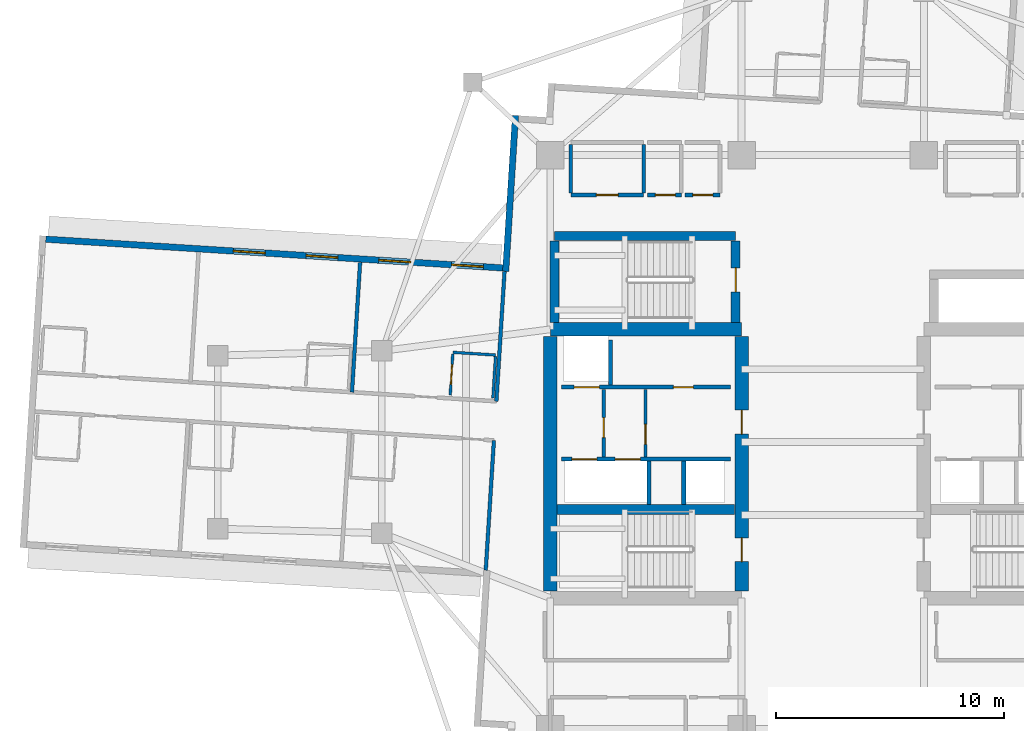
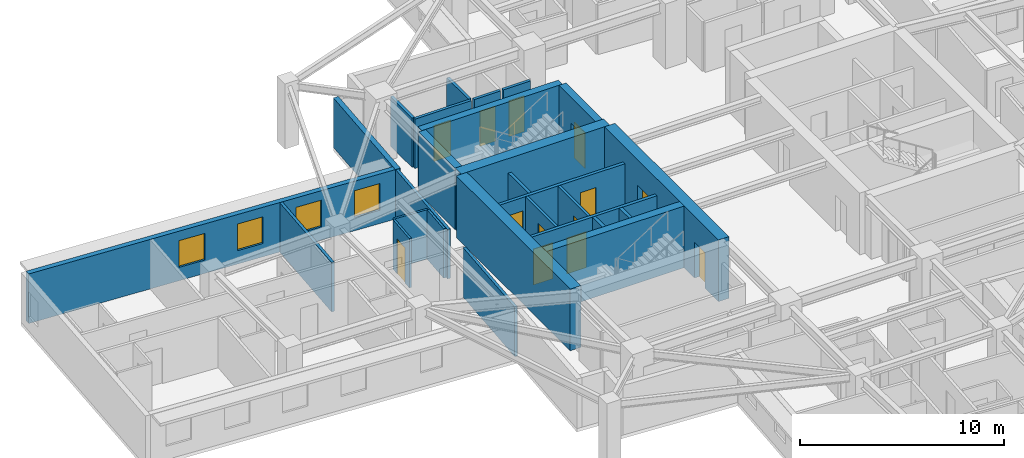
# One storey, part 6 of 14: 27 walls, 13 doors, 4 windows, 17 openings.
"""IFC4 building model written with IfcOpenShell, lengths in metres."""

from ifc_helpers import new_model, si_unit, direction, frame, frame_2d, origin, place, context, subcontext, project, spatial, rectangle, extrude, material, layer, layer_set, type_object, element, fill, save


model = new_model("IFC4")

# Units and contexts
model_context = context("Model", 3, precision=1e-05, world=origin(), true_north=direction((0.0, 1.0)))
body_context = subcontext(model_context, "Body", "Model", "MODEL_VIEW")
ifc_project = project(units=[si_unit("LENGTHUNIT", "METRE"), si_unit("AREAUNIT", "SQUARE_METRE"), si_unit("VOLUMEUNIT", "CUBIC_METRE"), si_unit("PLANEANGLEUNIT", "RADIAN"), si_unit("MASSUNIT", "GRAM", prefix="KILO")], contexts=[model_context])

# Site, building, storey
site_placement = place(None, origin())
site = spatial("IfcSite", under=ifc_project, at=site_placement, CompositionType="ELEMENT")
building_placement = place(site_placement, origin())
building = spatial("IfcBuilding", under=site, at=building_placement, Name="Qingluan Cross Belvedere", CompositionType="ELEMENT")
storey_placement = place(building_placement, frame((0.0, 0.0, 168.300048828125)))
storey = spatial("IfcBuildingStorey", under=building, at=storey_placement, Name="L42", CompositionType="ELEMENT", Elevation=168.300048828125)

# Walls
ifc_material_1 = material(Name="Concrete C50", Category="concrete")
ifc_layer_1 = layer(ifc_material_1, 0.449951171875, Name="CoreShearWall_450")
ifc_layer_set_1 = layer_set([ifc_layer_1], Name="Concrete C50")
wall_type_1 = type_object("IfcWallType", Name="CoreShearWall_450", PredefinedType="SHEAR", material=ifc_layer_set_1)
wall_1_placement = place(storey_placement, frame((-12.094970703125, -2.9599609375, 0.0), z_axis=(0.0, 0.0, 1.0), x_axis=(1.0, 0.0, 0.0)))
element("IfcWall", 1, at=wall_1_placement, inside=storey, type_object=wall_type_1, Name="Split core W shear wall L42-M", PredefinedType="SHEAR", context=body_context, shape_type="SweptSolid", body=[
    extrude(rectangle(XDim=7.7900390625, YDim=0.449951171875, at=frame_2d((3.89501953125, 0.0))), origin(), (0.0, 0.0, 1.0), 3.699951171875),
])
wall_2_placement = place(storey_placement, frame((-12.219970703125, 9.0400390625, 0.0), z_axis=(0.0, 0.0, 1.0), x_axis=(1.0, 0.0, 0.0)))
element("IfcWall", 2, at=wall_2_placement, inside=storey, type_object=wall_type_1, Name="Stair ST3 structural wall N L42", PredefinedType="SHEAR", context=body_context, shape_type="SweptSolid", body=[
    extrude(rectangle(XDim=7.9599609375, YDim=0.39990234375, at=frame_2d((3.97998046875, 0.0))), origin(), (0.0, 0.0, 1.0), 3.699951171875),
])
wall_3_placement = place(storey_placement, frame((-12.219970703125, 5.2548828125, 0.0), z_axis=(0.0, 0.0, 1.0), x_axis=(0.0, 1.0, 0.0)))
element("IfcWall", 3, at=wall_3_placement, inside=storey, type_object=wall_type_1, Name="Stair ST3 structural wall W L42", PredefinedType="SHEAR", context=body_context, shape_type="SweptSolid", body=[
    extrude(rectangle(XDim=3.580078125, YDim=0.39990234375, at=frame_2d((1.7900390625, 0.0))), origin(), (0.0, 0.0, 1.0), 3.699951171875),
])

# Wall, opening, door
wall_4_placement = place(storey_placement, frame((-4.260009765625, 5.2548828125, 0.0), z_axis=(0.0, 0.0, 1.0), x_axis=(0.0, 1.0, 0.0)))
wall_4 = element("IfcWall", 4, at=wall_4_placement, inside=storey, type_object=wall_type_1, Name="Stair ST3 structural wall E L42", PredefinedType="SHEAR", context=body_context, shape_type="SweptSolid", body=[
    extrude(rectangle(XDim=3.580078125, YDim=0.39990234375, at=frame_2d((1.7900390625, 0.0))), origin(), (0.0, 0.0, 1.0), 3.699951171875),
])
opening_1_placement = place(wall_4_placement, frame((1.344970703125, 0.0, 0.0)))
opening_1 = element("IfcOpeningElement", 5, at=opening_1_placement, cuts=wall_4, Name="Opening FD-B11", PredefinedType="OPENING", context=body_context, shape_type="SweptSolid", body=[
    extrude(rectangle(XDim=1.050048828125, YDim=2.14990234375, at=frame_2d((0.52490234375, 1.074951171875))), frame((0.0, 0.2099609375, 0.0), z_axis=(0.0, -1.0, 0.0), x_axis=(1.0, 0.0, 0.0)), (0.0, 0.0, 1.0), 0.419921875),
])
ifc_material_2 = material(Name="Steel Class B smoke-seal fire door", Category="steel")
door_type_1 = type_object("IfcDoorType", Name="StairLobbyFireDoor_FDB", OperationType="NOTDEFINED", PredefinedType="DOOR", material=ifc_material_2)
door_1_placement = place(opening_1_placement, origin())
door_1 = element("IfcDoor", 6, at=door_1_placement, inside=storey, type_object=door_type_1, Name="Smoke-proof stair ST3 fire door L42", OperationType="SINGLE_SWING_RIGHT", OverallHeight=2.14990234375, OverallWidth=1.050048828125, PredefinedType="DOOR", context=body_context, shape_type="SweptSolid", body=[
    extrude(rectangle(XDim=1.050048828125, YDim=2.14990234375, at=frame_2d((0.52490234375, 1.074951171875))), frame((0.0, 0.02490234375, 0.0), z_axis=(0.0, -1.0, 0.0), x_axis=(1.0, 0.0, 0.0)), (0.0, 0.0, 1.0), 0.050048828125),
])
fill(opening_1, door_1)

# Walls
ifc_material_3 = material(Name="Concrete C60", Category="concrete")
ifc_layer_2 = layer(ifc_material_3, 0.60009765625, Name="CoreShearWall_600")
ifc_layer_set_2 = layer_set([ifc_layer_2], Name="Concrete C60")
wall_type_2 = type_object("IfcWallType", Name="CoreShearWall_600", PredefinedType="SHEAR", material=ifc_layer_set_2)
wall_5_placement = place(storey_placement, frame((-12.39990234375, 4.949951171875, 0.0), z_axis=(0.0, 0.0, 1.0), x_axis=(1.0, 0.0, 0.0)))
element("IfcWall", 7, at=wall_5_placement, inside=storey, type_object=wall_type_2, Name="Split core W shear wall L42-N", PredefinedType="SHEAR", context=body_context, shape_type="SweptSolid", body=[
    extrude(rectangle(XDim=8.39990234375, YDim=0.60009765625, at=frame_2d((4.199951171875, 0.0))), origin(), (0.0, 0.0, 1.0), 3.699951171875),
])
wall_6_placement = place(storey_placement, frame((-12.39990234375, -6.544921875, 0.0), z_axis=(0.0, 0.0, 1.0), x_axis=(0.0, 1.0, 0.0)))
element("IfcWall", 8, at=wall_6_placement, inside=storey, type_object=wall_type_2, Name="Split core W shear wall L42-W", PredefinedType="SHEAR", context=body_context, shape_type="SweptSolid", body=[
    extrude(rectangle(XDim=11.18994140625, YDim=0.60009765625, at=frame_2d((5.594970703125, 0.0))), origin(), (0.0, 0.0, 1.0), 3.699951171875),
])

# Wall, openings, doors
wall_7_placement = place(storey_placement, frame((-4.0, -6.544921875, 0.0), z_axis=(0.0, 0.0, 1.0), x_axis=(0.0, 1.0, 0.0)))
wall_7 = element("IfcWall", 9, at=wall_7_placement, inside=storey, type_object=wall_type_2, Name="Split core W shear wall L42-E", PredefinedType="SHEAR", context=body_context, shape_type="SweptSolid", body=[
    extrude(rectangle(XDim=11.18994140625, YDim=0.60009765625, at=frame_2d((5.594970703125, 0.0))), origin(), (0.0, 0.0, 1.0), 3.699951171875),
])
opening_2_placement = place(wall_7_placement, frame((1.294921875, 0.0, 0.0)))
opening_2 = element("IfcOpeningElement", 10, at=opening_2_placement, cuts=wall_7, Name="Opening FD-B11", PredefinedType="OPENING", context=body_context, shape_type="SweptSolid", body=[
    extrude(rectangle(XDim=1.050048828125, YDim=2.14990234375, at=frame_2d((0.52490234375, 1.074951171875))), frame((0.0, 0.31005859375, 0.0), z_axis=(0.0, -1.0, 0.0), x_axis=(1.0, 0.0, 0.0)), (0.0, 0.0, 1.0), 0.6201171875),
])
opening_3_placement = place(wall_7_placement, frame((6.89501953125, 0.0, 0.0)))
opening_3 = element("IfcOpeningElement", 11, at=opening_3_placement, cuts=wall_7, Name="Opening FD-B11", PredefinedType="OPENING", context=body_context, shape_type="SweptSolid", body=[
    extrude(rectangle(XDim=1.050048828125, YDim=2.14990234375, at=frame_2d((0.52490234375, 1.074951171875))), frame((0.0, 0.31005859375, 0.0), z_axis=(0.0, -1.0, 0.0), x_axis=(1.0, 0.0, 0.0)), (0.0, 0.0, 1.0), 0.6201171875),
])
door_2_placement = place(opening_2_placement, origin())
door_2 = element("IfcDoor", 12, at=door_2_placement, inside=storey, type_object=door_type_1, Name="Smoke-proof stair ST1 fire door L42", OperationType="SINGLE_SWING_RIGHT", OverallHeight=2.14990234375, OverallWidth=1.050048828125, PredefinedType="DOOR", context=body_context, shape_type="SweptSolid", body=[
    extrude(rectangle(XDim=1.050048828125, YDim=2.14990234375, at=frame_2d((0.52490234375, 1.074951171875))), frame((0.0, 0.02490234375, 0.0), z_axis=(0.0, -1.0, 0.0), x_axis=(1.0, 0.0, 0.0)), (0.0, 0.0, 1.0), 0.050048828125),
])
fill(opening_2, door_2)
door_3_placement = place(opening_3_placement, origin())
door_3 = element("IfcDoor", 13, at=door_3_placement, inside=storey, type_object=door_type_1, Name="Firefighting lobby West fire door L42", OperationType="SINGLE_SWING_RIGHT", OverallHeight=2.14990234375, OverallWidth=1.050048828125, PredefinedType="DOOR", context=body_context, shape_type="SweptSolid", body=[
    extrude(rectangle(XDim=1.050048828125, YDim=2.14990234375, at=frame_2d((0.52490234375, 1.074951171875))), frame((0.0, 0.02490234375, 0.0), z_axis=(0.0, -1.0, 0.0), x_axis=(1.0, 0.0, 0.0)), (0.0, 0.0, 1.0), 0.050048828125),
])
fill(opening_3, door_3)

# Wall, opening, door
ifc_material_4 = material(Name="Gypsum plasterboard on steel stud acoustic partition", Category="steel")
ifc_layer_3 = layer(ifc_material_4, 0.159912109375, Name="CorridorPartition_160")
ifc_layer_set_3 = layer_set([ifc_layer_3], Name="Gypsum plasterboard on steel stud acoustic partition")
wall_type_3 = type_object("IfcWallType", Name="CorridorPartition_160", PredefinedType="PARTITIONING", material=ifc_layer_set_3)
wall_8_placement = place(storey_placement, frame((-10.050048828125, -0.652099609375, 0.0), z_axis=(0.0, 0.0, 1.0), x_axis=(0.0, 1.0, 0.0)))
wall_8 = element("IfcWall", 14, at=wall_8_placement, inside=storey, type_object=wall_type_3, Name="Partition L42:wv", PredefinedType="PARTITIONING", context=body_context, shape_type="SweptSolid", body=[
    extrude(rectangle(XDim=2.962158203125, YDim=0.139892578125, at=frame_2d((1.48095703125, 0.0))), origin(), (0.0, 0.0, 1.0), 2.9599609375),
])
opening_4_placement = place(wall_8_placement, frame((0.85009765625, 0.0, 0.0)))
opening_4 = element("IfcOpeningElement", 15, at=opening_4_placement, cuts=wall_8, Name="Opening FD-B10", PredefinedType="OPENING", context=body_context, shape_type="SweptSolid", body=[
    extrude(rectangle(XDim=0.8798828125, YDim=2.10009765625, at=frame_2d((0.43994140625, 1.050048828125))), frame((0.0, 0.079833984375, 0.0), z_axis=(0.0, -1.0, 0.0), x_axis=(1.0, 0.0, 0.0)), (0.0, 0.0, 1.0), 0.159912109375),
])
ifc_material_5 = material(Name="Steel Class B service fire door", Category="steel")
door_type_2 = type_object("IfcDoorType", Name="RiserServiceFireDoor_FDB", OperationType="NOTDEFINED", PredefinedType="DOOR", material=ifc_material_5)
door_4_placement = place(opening_4_placement, origin())
door_4 = element("IfcDoor", 16, at=door_4_placement, inside=storey, type_object=door_type_2, Name="Service closet inner door L42", OperationType="SINGLE_SWING_LEFT", OverallHeight=2.10009765625, OverallWidth=0.8798828125, PredefinedType="DOOR", context=body_context, shape_type="SweptSolid", body=[
    extrude(rectangle(XDim=0.8798828125, YDim=2.10009765625, at=frame_2d((0.43994140625, 1.050048828125))), frame((0.0, 0.02490234375, 0.0), z_axis=(0.0, -1.0, 0.0), x_axis=(1.0, 0.0, 0.0)), (0.0, 0.0, 1.0), 0.050048828125),
])
fill(opening_4, door_4)

wall_9_placement = place(storey_placement, frame((-11.5, 10.85009765625, 0.0), z_axis=(0.0, 0.0, 1.0), x_axis=(1.0, 0.0, 0.0)))
wall_9 = element("IfcWall", 17, at=wall_9_placement, inside=storey, type_object=wall_type_3, Name="Partition L42:q_nw_occ:S", PredefinedType="PARTITIONING", context=body_context, shape_type="SweptSolid", body=[
    extrude(rectangle(XDim=3.199951171875, YDim=0.159912109375, at=frame_2d((1.60009765625, 0.0))), origin(), (0.0, 0.0, 1.0), 2.9599609375),
])
opening_5_placement = place(wall_9_placement, frame((1.1201171875, 0.0, 0.0)))
opening_5 = element("IfcOpeningElement", 18, at=opening_5_placement, cuts=wall_9, Name="Opening GD-10", PredefinedType="OPENING", context=body_context, shape_type="SweptSolid", body=[
    extrude(rectangle(XDim=0.9599609375, YDim=2.14990234375, at=frame_2d((0.47998046875, 1.074951171875))), frame((0.0, 0.08984375, 0.0), z_axis=(0.0, -1.0, 0.0), x_axis=(1.0, 0.0, 0.0)), (0.0, 0.0, 1.0), 0.179931640625),
])
ifc_material_6 = material(Name="Timber oak fire-rated acoustic guestroom door", Category="wood")
door_type_3 = type_object("IfcDoorType", Name="GuestEntryDoor_FD60", OperationType="NOTDEFINED", PredefinedType="DOOR", material=ifc_material_6)
door_5_placement = place(opening_5_placement, origin())
door_5 = element("IfcDoor", 19, at=door_5_placement, inside=storey, type_object=door_type_3, Name="Northwest corner reading salon L42 door", OperationType="SINGLE_SWING_RIGHT", OverallHeight=2.14990234375, OverallWidth=0.9599609375, PredefinedType="DOOR", context=body_context, shape_type="SweptSolid", body=[
    extrude(rectangle(XDim=0.9599609375, YDim=2.14990234375, at=frame_2d((0.47998046875, 1.074951171875))), frame((0.0, 0.02490234375, 0.0), z_axis=(0.0, -1.0, 0.0), x_axis=(1.0, 0.0, 0.0)), (0.0, 0.0, 1.0), 0.050048828125),
])
fill(opening_5, door_5)

# Walls
for number, where, z_axis, x_axis, name in (
    (20, (-11.5, 10.93505859375, 0.0), (0.0, 0.0, 1.0), (0.0, 1.0, 0.0), "Partition L42:q_nw_occ:W"),
    (21, (-8.300048828125, 10.93505859375, 0.0), (0.0, 0.0, 1.0), (0.0, 1.0, 0.0), "Partition L42:q_nw_occ:E"),
):
    element("IfcWall", number, at=place(storey_placement, frame(where, z_axis=z_axis, x_axis=x_axis)), inside=storey, type_object=wall_type_3, Name=name, PredefinedType="PARTITIONING", context=body_context, shape_type="SweptSolid", body=[
        extrude(rectangle(XDim=2.1298828125, YDim=0.159912109375, at=frame_2d((1.06494140625, 0.0))), origin(), (0.0, 0.0, 1.0), 2.9599609375),
    ])

# Wall, opening, door
wall_10_placement = place(storey_placement, frame((-8.139892578125, 10.85009765625, 0.0), z_axis=(0.0, 0.0, 1.0), x_axis=(1.0, 0.0, 0.0)))
wall_10 = element("IfcWall", 22, at=wall_10_placement, inside=storey, type_object=wall_type_3, Name="Partition L42:hk_linen:S", PredefinedType="PARTITIONING", context=body_context, shape_type="SweptSolid", body=[
    extrude(rectangle(XDim=1.489990234375, YDim=0.159912109375, at=frame_2d((0.7451171875, 0.0))), origin(), (0.0, 0.0, 1.0), 2.9599609375),
])
opening_6_placement = place(wall_10_placement, frame((0.35009765625, 0.0, 0.0)))
opening_6 = element("IfcOpeningElement", 23, at=opening_6_placement, cuts=wall_10, Name="Opening FD-B10", PredefinedType="OPENING", context=body_context, shape_type="SweptSolid", body=[
    extrude(rectangle(XDim=0.8798828125, YDim=2.10009765625, at=frame_2d((0.43994140625, 1.050048828125))), frame((0.0, 0.08984375, 0.0), z_axis=(0.0, -1.0, 0.0), x_axis=(1.0, 0.0, 0.0)), (0.0, 0.0, 1.0), 0.179931640625),
])
door_6_placement = place(opening_6_placement, origin())
door_6 = element("IfcDoor", 24, at=door_6_placement, inside=storey, type_object=door_type_2, Name="Housekeeping and linen store L42 door", OperationType="SINGLE_SWING_LEFT", OverallHeight=2.10009765625, OverallWidth=0.8798828125, PredefinedType="DOOR", context=body_context, shape_type="SweptSolid", body=[
    extrude(rectangle(XDim=0.8798828125, YDim=2.10009765625, at=frame_2d((0.43994140625, 1.050048828125))), frame((0.0, 0.02490234375, 0.0), z_axis=(0.0, -1.0, 0.0), x_axis=(1.0, 0.0, 0.0)), (0.0, 0.0, 1.0), 0.050048828125),
])
fill(opening_6, door_6)

wall_11_placement = place(storey_placement, frame((-6.489990234375, 10.85009765625, 0.0), z_axis=(0.0, 0.0, 1.0), x_axis=(1.0, 0.0, 0.0)))
wall_11 = element("IfcWall", 25, at=wall_11_placement, inside=storey, type_object=wall_type_3, Name="Partition L42:floor_acc_wc:S", PredefinedType="PARTITIONING", context=body_context, shape_type="SweptSolid", body=[
    extrude(rectangle(XDim=1.5400390625, YDim=0.159912109375, at=frame_2d((0.77001953125, 0.0))), origin(), (0.0, 0.0, 1.0), 2.9599609375),
])
opening_7_placement = place(wall_11_placement, frame((0.35009765625, 0.0, 0.0)))
opening_7 = element("IfcOpeningElement", 26, at=opening_7_placement, cuts=wall_11, Name="Opening BD-08", PredefinedType="OPENING", context=body_context, shape_type="SweptSolid", body=[
    extrude(rectangle(XDim=0.8798828125, YDim=2.14990234375, at=frame_2d((0.43994140625, 1.074951171875))), frame((0.0, 0.08984375, 0.0), z_axis=(0.0, -1.0, 0.0), x_axis=(1.0, 0.0, 0.0)), (0.0, 0.0, 1.0), 0.179931640625),
])
ifc_material_7 = material(Name="Moisture-sealed timber accessible WC door", Category="wood")
door_type_4 = type_object("IfcDoorType", Name="AccessibleWCDoor_880", OperationType="NOTDEFINED", PredefinedType="DOOR", material=ifc_material_7)
door_7_placement = place(opening_7_placement, origin())
door_7 = element("IfcDoor", 27, at=door_7_placement, inside=storey, type_object=door_type_4, Name="Accessible guest washroom L42 door", OperationType="SINGLE_SWING_RIGHT", OverallHeight=2.14990234375, OverallWidth=0.8798828125, PredefinedType="DOOR", context=body_context, shape_type="SweptSolid", body=[
    extrude(rectangle(XDim=0.8798828125, YDim=2.14990234375, at=frame_2d((0.43994140625, 1.074951171875))), frame((0.0, 0.02490234375, 0.0), z_axis=(0.0, -1.0, 0.0), x_axis=(1.0, 0.0, 0.0)), (0.0, 0.0, 1.0), 0.050048828125),
])
fill(opening_7, door_7)

# Walls
for number, where, z_axis, x_axis, name in (
    (28, (-14.7666015625, 1.790771484375, 0.0), (0.0, 0.0, 1.0), (0.062788072387, 0.998026882386, 0.0), "Partition L42:W:s0"),
    (29, (-21.107177734375, 2.189697265625, 0.0), (0.0, 0.0, 1.0), (0.062788072387, 0.998026882386, 0.0), "Partition L42:W:d0_0"),
):
    element("IfcWall", number, at=place(storey_placement, frame(where, z_axis=z_axis, x_axis=x_axis)), inside=storey, type_object=wall_type_3, Name=name, PredefinedType="PARTITIONING", context=body_context, shape_type="SweptSolid", body=[
        extrude(rectangle(XDim=5.7119140625, YDim=0.159912109375, at=frame_2d((2.85595703125, 0.0))), origin(), (0.0, 0.0, 1.0), 2.9599609375),
    ])
wall_12_placement = place(storey_placement, frame((-14.874755859375, 0.07421875, 0.0), z_axis=(0.0, 0.0, 1.0), x_axis=(-0.062785394105, -0.998027050879, 0.0)))
element("IfcWall", 30, at=wall_12_placement, inside=storey, type_object=wall_type_3, Name="Partition L42:W:s1", PredefinedType="PARTITIONING", context=body_context, shape_type="SweptSolid", body=[
    extrude(rectangle(XDim=5.712158203125, YDim=0.159912109375, at=frame_2d((2.85595703125, 0.0))), origin(), (0.0, 0.0, 1.0), 2.9599609375),
])

# Wall, opening, door
ifc_material_8 = material(Name="Moisture-resistant gypsum board lining")
ifc_layer_4 = layer(ifc_material_8, 0.1201171875, Name="EnsuiteWetPartition_120")
ifc_layer_set_4 = layer_set([ifc_layer_4], Name="Moisture-resistant gypsum board lining")
wall_type_4 = type_object("IfcWallType", Name="EnsuiteWetPartition_120", PredefinedType="PARTITIONING", material=ifc_layer_set_4)
wall_13_placement = place(storey_placement, frame((-16.7939453125, 2.05859375, 0.0), z_axis=(0.0, 0.0, 1.0), x_axis=(0.062779145668, 0.998027443946, 0.0)))
wall_13 = element("IfcWall", 31, at=wall_13_placement, inside=storey, type_object=wall_type_4, Name="Partition L42:W:bs0_0", PredefinedType="PARTITIONING", context=body_context, shape_type="SweptSolid", body=[
    extrude(rectangle(XDim=1.820068359375, YDim=0.1201171875, at=frame_2d((0.91015625, 0.0))), origin(), (0.0, 0.0, 1.0), 2.9599609375),
])
opening_8_placement = place(wall_13_placement, frame((0.469970703125, 0.0, 0.0)))
opening_8 = element("IfcOpeningElement", 32, at=opening_8_placement, cuts=wall_13, Name="Opening BD-09", PredefinedType="OPENING", context=body_context, shape_type="SweptSolid", body=[
    extrude(rectangle(XDim=0.8798828125, YDim=2.10009765625, at=frame_2d((0.43994140625, 1.050048828125))), frame((0.0, 0.070068359375, 0.0), z_axis=(0.0, -1.0, 0.0), x_axis=(1.0, 0.0, 0.0)), (0.0, 0.0, 1.0), 0.14013671875),
])
ifc_material_9 = material(Name="Moisture-sealed timber en-suite door", Category="wood")
door_type_5 = type_object("IfcDoorType", Name="BathroomDoor_880", OperationType="NOTDEFINED", PredefinedType="DOOR", material=ifc_material_9)
door_8_placement = place(opening_8_placement, origin())
door_8 = element("IfcDoor", 33, at=door_8_placement, inside=storey, type_object=door_type_5, Name="Bathroom door 4205", OperationType="SINGLE_SWING_LEFT", OverallHeight=2.10009765625, OverallWidth=0.8798828125, PredefinedType="DOOR", context=body_context, shape_type="SweptSolid", body=[
    extrude(rectangle(XDim=0.8798828125, YDim=2.10009765625, at=frame_2d((0.43994140625, 1.050048828125))), frame((0.0, 0.02490234375, 0.0), z_axis=(0.0, -1.0, 0.0), x_axis=(1.0, 0.0, 0.0)), (0.0, 0.0, 1.0), 0.050048828125),
])
fill(opening_8, door_8)

# Walls
wall_14_placement = place(storey_placement, frame((-14.91748046875, 1.9404296875, 0.0), z_axis=(0.0, 0.0, 1.0), x_axis=(0.062779145668, 0.998027443946, 0.0)))
element("IfcWall", 34, at=wall_14_placement, inside=storey, type_object=wall_type_4, Name="Partition L42:W:bw0_0", PredefinedType="PARTITIONING", context=body_context, shape_type="SweptSolid", body=[
    extrude(rectangle(XDim=1.820068359375, YDim=0.1201171875, at=frame_2d((0.91015625, 0.0))), origin(), (0.0, 0.0, 1.0), 2.9599609375),
])
wall_15_placement = place(storey_placement, frame((-14.79931640625, 3.82177734375, 0.0), z_axis=(0.0, 0.0, 1.0), x_axis=(-0.998030789148, 0.062725942896, 0.0)))
element("IfcWall", 35, at=wall_15_placement, inside=storey, type_object=wall_type_4, Name="Partition L42:W:bn0_0", PredefinedType="PARTITIONING", context=body_context, shape_type="SweptSolid", body=[
    extrude(rectangle(XDim=1.8798828125, YDim=0.1201171875, at=frame_2d((0.93994140625, 0.0))), origin(), (0.0, 0.0, 1.0), 2.9599609375),
])

# Wall, openings, windows
ifc_material_10 = material(Name="Precast concrete C45", Category="concrete")
ifc_layer_5 = layer(ifc_material_10, 0.280029296875, Name="PrecastFacadeWall_280")
ifc_layer_set_5 = layer_set([ifc_layer_5], Name="Precast concrete C45")
wall_type_5 = type_object("IfcWallType", Name="PrecastFacadeWall_280", PredefinedType="STANDARD", material=ifc_layer_set_5)
wall_16_placement = place(storey_placement, frame((-14.488525390625, 7.644775390625, 0.0), z_axis=(0.0, 0.0, 1.0), x_axis=(-0.99802635503, 0.06279645424, 0.0)))
wall_16 = element("IfcWall", 36, at=wall_16_placement, inside=storey, type_object=wall_type_5, Name="Facade wall L42-WA", PredefinedType="STANDARD", context=body_context, shape_type="SweptSolid", body=[
    extrude(rectangle(XDim=20.099853515625, YDim=0.280029296875, at=frame_2d((10.0498046875, 0.0))), origin(), (0.0, 0.0, 1.0), 2.969970703125),
])
opening_9_placement = place(wall_16_placement, frame((0.85009765625, 0.0, 0.800048828125)))
opening_9 = element("IfcOpeningElement", 37, at=opening_9_placement, cuts=wall_16, Name="Opening W-01", PredefinedType="OPENING", context=body_context, shape_type="SweptSolid", body=[
    extrude(rectangle(XDim=1.39990234375, YDim=1.60009765625, at=frame_2d((0.699951171875, 0.800048828125))), frame((0.0, 0.14990234375, 0.0), z_axis=(0.0, -1.0, 0.0), x_axis=(1.0, 0.0, 0.0)), (0.0, 0.0, 1.0), 0.300048828125),
])
opening_10_placement = place(wall_16_placement, frame((4.050048828125, 0.0, 0.800048828125)))
opening_10 = element("IfcOpeningElement", 38, at=opening_10_placement, cuts=wall_16, Name="Opening W-01", PredefinedType="OPENING", context=body_context, shape_type="SweptSolid", body=[
    extrude(rectangle(XDim=1.39990234375, YDim=1.60009765625, at=frame_2d((0.699951171875, 0.800048828125))), frame((0.0, 0.14990234375, 0.0), z_axis=(0.0, -1.0, 0.0), x_axis=(1.0, 0.0, 0.0)), (0.0, 0.0, 1.0), 0.300048828125),
])
opening_11_placement = place(wall_16_placement, frame((7.25, 0.0, 0.800048828125)))
opening_11 = element("IfcOpeningElement", 39, at=opening_11_placement, cuts=wall_16, Name="Opening W-01", PredefinedType="OPENING", context=body_context, shape_type="SweptSolid", body=[
    extrude(rectangle(XDim=1.39990234375, YDim=1.60009765625, at=frame_2d((0.699951171875, 0.800048828125))), frame((0.0, 0.14990234375, 0.0), z_axis=(0.0, -1.0, 0.0), x_axis=(1.0, 0.0, 0.0)), (0.0, 0.0, 1.0), 0.300048828125),
])
opening_12_placement = place(wall_16_placement, frame((10.449951171875, 0.0, 0.800048828125)))
opening_12 = element("IfcOpeningElement", 40, at=opening_12_placement, cuts=wall_16, Name="Opening W-01", PredefinedType="OPENING", context=body_context, shape_type="SweptSolid", body=[
    extrude(rectangle(XDim=1.39990234375, YDim=1.60009765625, at=frame_2d((0.699951171875, 0.800048828125))), frame((0.0, 0.14990234375, 0.0), z_axis=(0.0, -1.0, 0.0), x_axis=(1.0, 0.0, 0.0)), (0.0, 0.0, 1.0), 0.300048828125),
])
ifc_material_11 = material(Name="Thermally broken triple Low-E glass in aluminium frame", Category="aluminium")
window_type = type_object("IfcWindowType", Name="TriRibbonWin_1400x1600", PartitioningType="SINGLE_PANEL", PredefinedType="WINDOW", material=ifc_material_11)
window_1_placement = place(opening_9_placement, origin())
window_1 = element("IfcWindow", 41, at=window_1_placement, inside=storey, type_object=window_type, Name="Ribbon window L42-WA-1", OverallHeight=1.60009765625, OverallWidth=1.39990234375, PartitioningType="SINGLE_PANEL", PredefinedType="WINDOW", context=body_context, shape_type="SweptSolid", body=[
    extrude(rectangle(XDim=1.39990234375, YDim=1.60009765625, at=frame_2d((0.699951171875, 0.800048828125))), frame((0.0, 0.030029296875, 0.0), z_axis=(0.0, -1.0, 0.0), x_axis=(1.0, 0.0, 0.0)), (0.0, 0.0, 1.0), 0.06005859375),
])
fill(opening_9, window_1)
window_2_placement = place(opening_10_placement, origin())
window_2 = element("IfcWindow", 42, at=window_2_placement, inside=storey, type_object=window_type, Name="Ribbon window L42-WA-2", OverallHeight=1.60009765625, OverallWidth=1.39990234375, PartitioningType="SINGLE_PANEL", PredefinedType="WINDOW", context=body_context, shape_type="SweptSolid", body=[
    extrude(rectangle(XDim=1.39990234375, YDim=1.60009765625, at=frame_2d((0.699951171875, 0.800048828125))), frame((0.0, 0.030029296875, 0.0), z_axis=(0.0, -1.0, 0.0), x_axis=(1.0, 0.0, 0.0)), (0.0, 0.0, 1.0), 0.06005859375),
])
fill(opening_10, window_2)
window_3_placement = place(opening_11_placement, origin())
window_3 = element("IfcWindow", 43, at=window_3_placement, inside=storey, type_object=window_type, Name="Ribbon window L42-WA-3", OverallHeight=1.60009765625, OverallWidth=1.39990234375, PartitioningType="SINGLE_PANEL", PredefinedType="WINDOW", context=body_context, shape_type="SweptSolid", body=[
    extrude(rectangle(XDim=1.39990234375, YDim=1.60009765625, at=frame_2d((0.699951171875, 0.800048828125))), frame((0.0, 0.030029296875, 0.0), z_axis=(0.0, -1.0, 0.0), x_axis=(1.0, 0.0, 0.0)), (0.0, 0.0, 1.0), 0.06005859375),
])
fill(opening_11, window_3)
window_4_placement = place(opening_12_placement, origin())
window_4 = element("IfcWindow", 44, at=window_4_placement, inside=storey, type_object=window_type, Name="Ribbon window L42-WA-4", OverallHeight=1.60009765625, OverallWidth=1.39990234375, PartitioningType="SINGLE_PANEL", PredefinedType="WINDOW", context=body_context, shape_type="SweptSolid", body=[
    extrude(rectangle(XDim=1.39990234375, YDim=1.60009765625, at=frame_2d((0.699951171875, 0.800048828125))), frame((0.0, 0.030029296875, 0.0), z_axis=(0.0, -1.0, 0.0), x_axis=(1.0, 0.0, 0.0)), (0.0, 0.0, 1.0), 0.06005859375),
])
fill(opening_12, window_4)

# Wall
wall_17_placement = place(storey_placement, frame((-14.357666015625, 7.496337890625, 0.0), z_axis=(0.0, 0.0, 1.0), x_axis=(0.062779317195, 0.998027433156, 0.0)))
element("IfcWall", 45, at=wall_17_placement, inside=storey, type_object=wall_type_5, Name="Corner wall L42-NW1", PredefinedType="STANDARD", context=body_context, shape_type="SweptSolid", body=[
    extrude(rectangle(XDim=6.85986328125, YDim=0.280029296875, at=frame_2d((3.429931640625, 0.0))), origin(), (0.0, 0.0, 1.0), 2.969970703125),
])

# Wall, openings, doors
ifc_material_12 = material(Name="Concrete C40", Category="concrete")
ifc_layer_6 = layer(ifc_material_12, 0.219970703125, Name="ShaftEnclosureWall_250")
ifc_layer_set_6 = layer_set([ifc_layer_6], Name="Concrete C40")
wall_type_6 = type_object("IfcWallType", Name="ShaftEnclosureWall_250", PredefinedType="SOLIDWALL", material=ifc_layer_set_6)
wall_18_placement = place(storey_placement, frame((-11.89990234375, 2.409912109375, 0.0), z_axis=(0.0, 0.0, 1.0), x_axis=(1.0, 0.0, 0.0)))
wall_18 = element("IfcWall", 46, at=wall_18_placement, inside=storey, type_object=wall_type_6, Name="Core-W north hoistway wall L42", PredefinedType="SOLIDWALL", context=body_context, shape_type="SweptSolid", body=[
    extrude(rectangle(XDim=7.419921875, YDim=0.179931640625, at=frame_2d((3.7099609375, 0.0))), origin(), (0.0, 0.0, 1.0), 2.9599609375),
])
opening_13_placement = place(wall_18_placement, frame((0.550048828125, 0.0, 0.0)))
opening_13 = element("IfcOpeningElement", 47, at=opening_13_placement, cuts=wall_18, Name="Opening LD-11", PredefinedType="OPENING", context=body_context, shape_type="SweptSolid", body=[
    extrude(rectangle(XDim=1.10009765625, YDim=2.14990234375, at=frame_2d((0.550048828125, 1.074951171875))), frame((0.0, 0.099853515625, 0.0), z_axis=(0.0, -1.0, 0.0), x_axis=(1.0, 0.0, 0.0)), (0.0, 0.0, 1.0), 0.199951171875),
])
opening_14_placement = place(wall_18_placement, frame((4.89990234375, 0.0, 0.0)))
opening_14 = element("IfcOpeningElement", 48, at=opening_14_placement, cuts=wall_18, Name="Opening FD-B10", PredefinedType="OPENING", context=body_context, shape_type="SweptSolid", body=[
    extrude(rectangle(XDim=0.8798828125, YDim=2.10009765625, at=frame_2d((0.43994140625, 1.050048828125))), frame((0.0, 0.099853515625, 0.0), z_axis=(0.0, -1.0, 0.0), x_axis=(1.0, 0.0, 0.0)), (0.0, 0.0, 1.0), 0.199951171875),
])
ifc_material_13 = material(Name="Brushed stainless steel centre-opening lift landing door", Category="steel")
door_type_6 = type_object("IfcDoorType", Name="LiftLandingSlidingDoor_1100", OperationType="DOUBLE_DOOR_SLIDING", PredefinedType="DOOR", material=ifc_material_13)
door_9_placement = place(opening_13_placement, origin())
door_9 = element("IfcDoor", 49, at=door_9_placement, inside=storey, type_object=door_type_6, Name="Lift landing sliding door FL1 L42", OperationType="DOUBLE_DOOR_SLIDING", OverallHeight=2.14990234375, OverallWidth=1.10009765625, PredefinedType="DOOR", context=body_context, shape_type="SweptSolid", body=[
    extrude(rectangle(XDim=1.10009765625, YDim=2.14990234375, at=frame_2d((0.550048828125, 1.074951171875))), frame((0.0, 0.02490234375, 0.0), z_axis=(0.0, -1.0, 0.0), x_axis=(1.0, 0.0, 0.0)), (0.0, 0.0, 1.0), 0.050048828125),
])
fill(opening_13, door_9)
door_10_placement = place(opening_14_placement, origin())
door_10 = element("IfcDoor", 50, at=door_10_placement, inside=storey, type_object=door_type_2, Name="Housekeeping supply room door W L42", OperationType="SINGLE_SWING_LEFT", OverallHeight=2.10009765625, OverallWidth=0.8798828125, PredefinedType="DOOR", context=body_context, shape_type="SweptSolid", body=[
    extrude(rectangle(XDim=0.8798828125, YDim=2.10009765625, at=frame_2d((0.43994140625, 1.050048828125))), frame((0.0, 0.02490234375, 0.0), z_axis=(0.0, -1.0, 0.0), x_axis=(1.0, 0.0, 0.0)), (0.0, 0.0, 1.0), 0.050048828125),
])
fill(opening_14, door_10)

wall_19_placement = place(storey_placement, frame((-11.89990234375, -0.75, 0.0), z_axis=(0.0, 0.0, 1.0), x_axis=(1.0, 0.0, 0.0)))
wall_19 = element("IfcWall", 51, at=wall_19_placement, inside=storey, type_object=wall_type_6, Name="Core-W mid hoistway wall L42", PredefinedType="SOLIDWALL", context=body_context, shape_type="SweptSolid", body=[
    extrude(rectangle(XDim=7.419921875, YDim=0.179931640625, at=frame_2d((3.7099609375, 0.0))), origin(), (0.0, 0.0, 1.0), 2.9599609375),
])
opening_15_placement = place(wall_19_placement, frame((0.449951171875, 0.0, 0.0)))
opening_15 = element("IfcOpeningElement", 52, at=opening_15_placement, cuts=wall_19, Name="Opening LD-11", PredefinedType="OPENING", context=body_context, shape_type="SweptSolid", body=[
    extrude(rectangle(XDim=1.10009765625, YDim=2.14990234375, at=frame_2d((0.550048828125, 1.074951171875))), frame((0.0, 0.099853515625, 0.0), z_axis=(0.0, -1.0, 0.0), x_axis=(1.0, 0.0, 0.0)), (0.0, 0.0, 1.0), 0.199951171875),
])
opening_16_placement = place(wall_19_placement, frame((2.35009765625, 0.0, 0.0)))
opening_16 = element("IfcOpeningElement", 53, at=opening_16_placement, cuts=wall_19, Name="Opening LD-11", PredefinedType="OPENING", context=body_context, shape_type="SweptSolid", body=[
    extrude(rectangle(XDim=1.10009765625, YDim=2.14990234375, at=frame_2d((0.550048828125, 1.074951171875))), frame((0.0, 0.099853515625, 0.0), z_axis=(0.0, -1.0, 0.0), x_axis=(1.0, 0.0, 0.0)), (0.0, 0.0, 1.0), 0.199951171875),
])
door_11_placement = place(opening_15_placement, origin())
door_11 = element("IfcDoor", 54, at=door_11_placement, inside=storey, type_object=door_type_6, Name="Lift landing sliding door LP5 L42", OperationType="DOUBLE_DOOR_SLIDING", OverallHeight=2.14990234375, OverallWidth=1.10009765625, PredefinedType="DOOR", context=body_context, shape_type="SweptSolid", body=[
    extrude(rectangle(XDim=1.10009765625, YDim=2.14990234375, at=frame_2d((0.550048828125, 1.074951171875))), frame((0.0, 0.02490234375, 0.0), z_axis=(0.0, -1.0, 0.0), x_axis=(1.0, 0.0, 0.0)), (0.0, 0.0, 1.0), 0.050048828125),
])
fill(opening_15, door_11)
door_12_placement = place(opening_16_placement, origin())
door_12 = element("IfcDoor", 55, at=door_12_placement, inside=storey, type_object=door_type_6, Name="Lift landing sliding door LP6 L42", OperationType="DOUBLE_DOOR_SLIDING", OverallHeight=2.14990234375, OverallWidth=1.10009765625, PredefinedType="DOOR", context=body_context, shape_type="SweptSolid", body=[
    extrude(rectangle(XDim=1.10009765625, YDim=2.14990234375, at=frame_2d((0.550048828125, 1.074951171875))), frame((0.0, 0.02490234375, 0.0), z_axis=(0.0, -1.0, 0.0), x_axis=(1.0, 0.0, 0.0)), (0.0, 0.0, 1.0), 0.050048828125),
])
fill(opening_16, door_12)

# Walls
wall_20_placement = place(storey_placement, frame((-9.760009765625, 2.5, 0.0), z_axis=(0.0, 0.0, 1.0), x_axis=(0.0, 1.0, 0.0)))
element("IfcWall", 56, at=wall_20_placement, inside=storey, type_object=wall_type_6, Name="Hoistway enclosure divider FL1E L42", PredefinedType="SOLIDWALL", context=body_context, shape_type="SweptSolid", body=[
    extrude(rectangle(XDim=1.989990234375, YDim=0.179931640625, at=frame_2d((0.9951171875, 0.0))), origin(), (0.0, 0.0, 1.0), 2.9599609375),
])
for number, where, z_axis, x_axis, name in (
    (57, (-8.06005859375, -2.72998046875, 0.0), (0.0, 0.0, 1.0), (0.0, 1.0, 0.0), "Hoistway enclosure divider LP6E L42"),
    (58, (-6.5400390625, -2.72998046875, 0.0), (0.0, 0.0, 1.0), (0.0, 1.0, 0.0), "Hoistway enclosure divider LP8W L42"),
):
    element("IfcWall", number, at=place(storey_placement, frame(where, z_axis=z_axis, x_axis=x_axis)), inside=storey, type_object=wall_type_6, Name=name, PredefinedType="SOLIDWALL", context=body_context, shape_type="SweptSolid", body=[
        extrude(rectangle(XDim=1.889892578125, YDim=0.179931640625, at=frame_2d((0.94482421875, 0.0))), origin(), (0.0, 0.0, 1.0), 2.9599609375),
    ])

# Wall, opening, door
wall_21_placement = place(storey_placement, frame((-8.219970703125, -0.64990234375, 0.0), z_axis=(0.0, 0.0, 1.0), x_axis=(0.0, 1.0, 0.0)))
wall_21 = element("IfcWall", 59, at=wall_21_placement, inside=storey, type_object=wall_type_6, Name="Core-W service corridor wall L42", PredefinedType="SOLIDWALL", context=body_context, shape_type="SweptSolid", body=[
    extrude(rectangle(XDim=2.9599609375, YDim=0.139892578125, at=frame_2d((1.47998046875, 0.0))), origin(), (0.0, 0.0, 1.0), 2.9599609375),
])
opening_17_placement = place(wall_21_placement, frame((0.550048828125, 0.0, 0.0)))
opening_17 = element("IfcOpeningElement", 60, at=opening_17_placement, cuts=wall_21, Name="Opening FD-B10", PredefinedType="OPENING", context=body_context, shape_type="SweptSolid", body=[
    extrude(rectangle(XDim=0.8798828125, YDim=2.10009765625, at=frame_2d((0.43994140625, 1.050048828125))), frame((0.0, 0.079833984375, 0.0), z_axis=(0.0, -1.0, 0.0), x_axis=(1.0, 0.0, 0.0)), (0.0, 0.0, 1.0), 0.159912109375),
])
door_13_placement = place(opening_17_placement, origin())
door_13 = element("IfcDoor", 61, at=door_13_placement, inside=storey, type_object=door_type_2, Name="Core-W service room door L42", OperationType="SINGLE_SWING_LEFT", OverallHeight=2.10009765625, OverallWidth=0.8798828125, PredefinedType="DOOR", context=body_context, shape_type="SweptSolid", body=[
    extrude(rectangle(XDim=0.8798828125, YDim=2.10009765625, at=frame_2d((0.43994140625, 1.050048828125))), frame((0.0, 0.02490234375, 0.0), z_axis=(0.0, -1.0, 0.0), x_axis=(1.0, 0.0, 0.0)), (0.0, 0.0, 1.0), 0.050048828125),
])
fill(opening_17, door_13)

save(model, "model.ifc")
